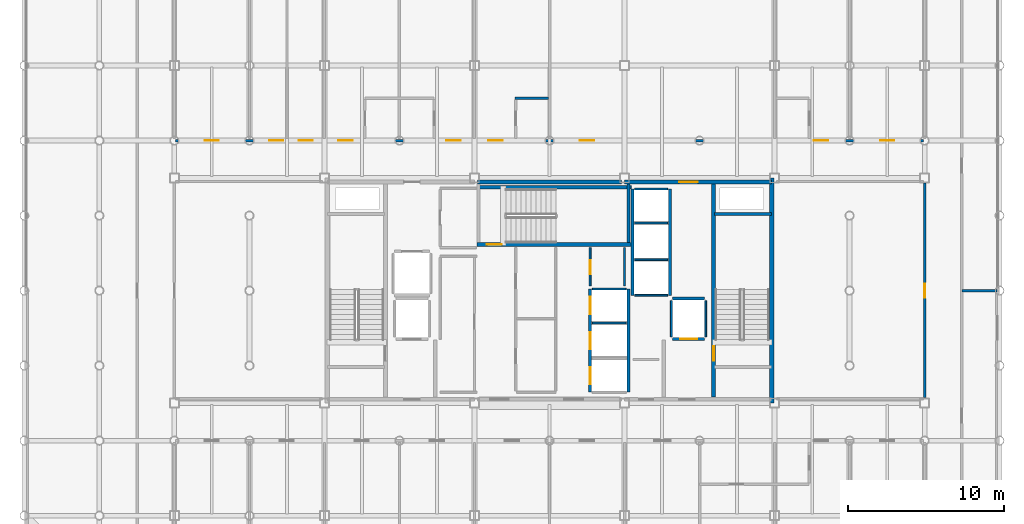
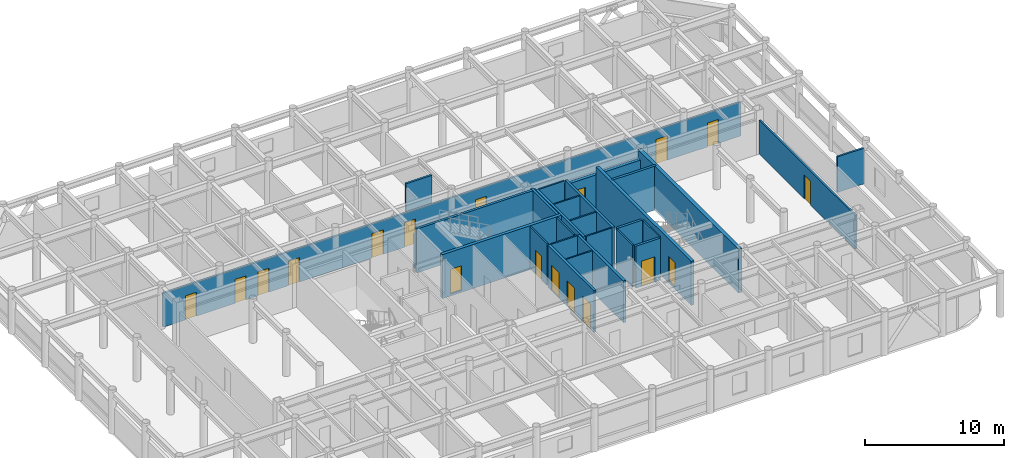
# One storey, part 20 of 22: 28 walls, 18 doors, 18 openings.
"""IFC4 building model written with IfcOpenShell, lengths in metres."""

import ifcopenshell
import ifcopenshell.guid

model = None  # the IFC model being written
_history = None  # IfcOwnerHistory: only IFC2X3 demands one
_inside = {}  # id of a spatial element -> (the spatial element, [elements in it])
_under = {}  # id of a project, library or spatial element -> (it, [spatial elements below it])
_declared = {}  # id of a project -> (the project, [libraries it declares])
_typed = {}  # id of a type object -> (the type object, [elements of that type])
_made_of = {}  # id of a material, layer set ... -> (it, [elements and type objects made of it])


def new_model(schema):
    """Start an empty IFC model of exactly this schema.

    Asked for "IFC4X3", IfcOpenShell would pick the latest addendum, in which some entities
    have other attributes; the version numbers below select the first issue.
    IFC2X3 requires an IfcOwnerHistory on every rooted entity: one is made here for all.
    """
    global model, _history
    if schema == "IFC4X3":
        model = ifcopenshell.file(schema_version=(4, 3, 0, 0))
    else:
        model = ifcopenshell.file(schema=schema)
    _inside.clear()
    _under.clear()
    _declared.clear()
    _typed.clear()
    _made_of.clear()
    _history = None
    if model.schema == "IFC2X3":
        org = make("IfcOrganization", Name="unknown")
        user = make(
            "IfcPersonAndOrganization",
            ThePerson=make("IfcPerson", FamilyName="unknown"),
            TheOrganization=org,
        )
        app = make(
            "IfcApplication",
            ApplicationDeveloper=org,
            Version="unknown",
            ApplicationFullName="unknown",
            ApplicationIdentifier="unknown",
        )
        _history = make(
            "IfcOwnerHistory",
            OwningUser=user,
            OwningApplication=app,
            ChangeAction="ADDED",
            CreationDate=0,
        )
    return model


def make(cls, **values):
    """One entity of the class cls with the attributes given. An attribute that is None is left unset."""
    return model.create_entity(
        cls, **{name: value for name, value in values.items() if value is not None}
    )


def rooted(cls, **values):
    """An entity with a GlobalId (a new one), such as an element, a storey or a relation."""
    return make(cls, GlobalId=ifcopenshell.guid.new(), OwnerHistory=_history, **values)


def si_unit(unit_type, name, prefix=None):
    """IfcSIUnit, for example si_unit("LENGTHUNIT", "METRE", prefix="MILLI")."""
    return make("IfcSIUnit", UnitType=unit_type, Prefix=prefix, Name=name)


def assignment(units):
    """IfcUnitAssignment: the units of a project."""
    return None if units is None else make("IfcUnitAssignment", Units=units)


def point(xyz):
    """IfcCartesianPoint."""
    return None if xyz is None else make("IfcCartesianPoint", Coordinates=xyz)


def direction(xyz):
    """IfcDirection."""
    return None if xyz is None else make("IfcDirection", DirectionRatios=xyz)


def frame(location, z_axis=None, x_axis=None):
    """IfcAxis2Placement3D, a coordinate frame: its origin and axes. An axis left out is left unset."""
    return make(
        "IfcAxis2Placement3D",
        Location=point(location),
        Axis=direction(z_axis),
        RefDirection=direction(x_axis),
    )


def frame_2d(location, x_axis=None):
    """IfcAxis2Placement2D, a coordinate frame in the plane: its origin and x axis."""
    return make(
        "IfcAxis2Placement2D", Location=point(location), RefDirection=direction(x_axis)
    )


def origin():
    """The frame at (0, 0, 0) with its axes left unset."""
    return frame((0.0, 0.0, 0.0))


def place(relative_to, where):
    """IfcLocalPlacement: puts the frame where relative to a parent placement (None: the world)."""
    return make(
        "IfcLocalPlacement", PlacementRelTo=relative_to, RelativePlacement=where
    )


def context(
    kind, dimensions, precision=None, world=None, true_north=None, identifier=None
):
    """IfcGeometricRepresentationContext, for example the 3D "Model" context."""
    return make(
        "IfcGeometricRepresentationContext",
        ContextIdentifier=identifier,
        ContextType=kind,
        CoordinateSpaceDimension=dimensions,
        Precision=precision,
        WorldCoordinateSystem=world,
        TrueNorth=true_north,
    )


def subcontext(parent, identifier, kind, view, scale=None):
    """IfcGeometricRepresentationSubContext, for example "Body" below "Model"."""
    return make(
        "IfcGeometricRepresentationSubContext",
        ContextIdentifier=identifier,
        ContextType=kind,
        ParentContext=parent,
        TargetScale=scale,
        TargetView=view,
    )


def project(units=None, contexts=None):
    """IfcProject with its units and contexts."""
    return rooted(
        "IfcProject",
        Name="project",
        RepresentationContexts=contexts,
        UnitsInContext=assignment(units),
    )


def spatial(cls, under=None, at=None, **own):
    """A site, building, storey or space (cls), placed at a placement, below another one or the project."""
    s = rooted(cls, ObjectPlacement=at, **own)
    if under is not None:
        _under.setdefault(under.id(), (under, []))[1].append(s)
    return s


def profile(cls, at=None, kind="AREA", **sizes):
    """A parametric profile (cls). Its sizes go by their IFC names, for example OverallWidth=200.0."""
    return make(cls, ProfileType=kind, Position=at, **sizes)


def rectangle(**sizes):
    """IfcRectangleProfileDef."""
    return profile("IfcRectangleProfileDef", **sizes)


def extrude(swept, where, along, depth):
    """IfcExtrudedAreaSolid: the profile swept, set in the frame where, extruded along a direction by depth."""
    return make(
        "IfcExtrudedAreaSolid",
        SweptArea=swept,
        Position=where,
        ExtrudedDirection=direction(along),
        Depth=depth,
    )


def shape(context_of_items, identifier, shape_type, items):
    """IfcShapeRepresentation: the items that make up one representation, for example the "Body"."""
    return make(
        "IfcShapeRepresentation",
        ContextOfItems=context_of_items,
        RepresentationIdentifier=identifier,
        RepresentationType=shape_type,
        Items=items,
    )


def material(Name=None, Category=None):
    """IfcMaterial."""
    return make("IfcMaterial", Name=Name, Category=Category)


def layer(
    of_material, thickness, ventilated=None, Name=None, Category=None, Priority=None
):
    """IfcMaterialLayer: one layer of a wall or slab, of a material (None: an air gap)."""
    return make(
        "IfcMaterialLayer",
        Material=of_material,
        LayerThickness=thickness,
        IsVentilated=ventilated,
        Name=Name,
        Category=Category,
        Priority=Priority,
    )


def layer_set(layers, Name=None):
    """IfcMaterialLayerSet."""
    return make("IfcMaterialLayerSet", MaterialLayers=layers, LayerSetName=Name)


def made_of(thing, what):
    """Note that an element or type object is made of a material, layer set ...; save() writes the relation."""
    if what is not None:
        _made_of.setdefault(what.id(), (what, []))[1].append(thing)
    return thing


def type_object(cls, material=None, **own):
    """A type object (cls), such as IfcWallType, which elements share."""
    return made_of(rooted(cls, **own), material)


def element(
    cls,
    number,
    at=None,
    inside=None,
    cuts=None,
    type_object=None,
    material=None,
    context=None,
    identifier="Body",
    shape_type=None,
    held_by="IfcProductDefinitionShape",
    body=None,
    shapes=None,
    **own,
):
    """One element of the class cls, such as IfcWall. Its Tag is "e" and its number.

    at: its placement. inside: the storey or other place that contains it. cuts: it is an
    opening in that element (IfcRelVoidsElement). A single representation is given by context,
    identifier, shape_type and body (its items); several are given by shapes. held_by: the class
    of the entity that holds the representations. save() writes the other relations.
    """
    e = rooted(cls, Tag="e%d" % number, ObjectPlacement=at, **own)
    if body is not None:
        shapes = [shape(context, identifier, shape_type, body)]
    if shapes is not None:
        e.Representation = make(held_by, Representations=shapes)
    if inside is not None:
        _inside.setdefault(inside.id(), (inside, []))[1].append(e)
    if cuts is not None:
        rooted(
            "IfcRelVoidsElement", RelatingBuildingElement=cuts, RelatedOpeningElement=e
        )
    if type_object is not None:
        _typed.setdefault(type_object.id(), (type_object, []))[1].append(e)
    return made_of(e, material)


def fill(opening, filler):
    """IfcRelFillsElement: the door or window that sits in an opening."""
    return rooted(
        "IfcRelFillsElement",
        RelatingOpeningElement=opening,
        RelatedBuildingElement=filler,
    )


def aggregate(whole, parts):
    """IfcRelAggregates: a whole, such as a stair, and the parts it consists of."""
    return rooted("IfcRelAggregates", RelatingObject=whole, RelatedObjects=parts)


def save(model, path):
    """Write the relations noted so far, then the file.

    IfcRelAggregates (storeys below a building ...), IfcRelContainedInSpatialStructure (elements
    in a storey), IfcRelDefinesByType, IfcRelAssociatesMaterial and IfcRelDeclares: one each for
    every whole, place, type object, material and project.
    """
    for whole, parts in _under.values():
        aggregate(whole, parts)
    for where, things in _inside.values():
        rooted(
            "IfcRelContainedInSpatialStructure",
            RelatedElements=things,
            RelatingStructure=where,
        )
    for kind, things in _typed.values():
        rooted("IfcRelDefinesByType", RelatedObjects=things, RelatingType=kind)
    for what, things in _made_of.values():
        rooted("IfcRelAssociatesMaterial", RelatedObjects=things, RelatingMaterial=what)
    for by, libraries in _declared.values():
        rooted("IfcRelDeclares", RelatingContext=by, RelatedDefinitions=libraries)
    model.write(path)


model = new_model("IFC4")

# Units and contexts
model_context = context("Model", 3, precision=1e-05, world=origin(), true_north=direction((0.0, 1.0)))
body_context = subcontext(model_context, "Body", "Model", "MODEL_VIEW")
ifc_project = project(units=[si_unit("LENGTHUNIT", "METRE"), si_unit("AREAUNIT", "SQUARE_METRE"), si_unit("VOLUMEUNIT", "CUBIC_METRE"), si_unit("PLANEANGLEUNIT", "RADIAN"), si_unit("MASSUNIT", "GRAM", prefix="KILO")], contexts=[model_context])

# Site, building, storey
site_placement = place(None, origin())
site = spatial("IfcSite", under=ifc_project, at=site_placement, CompositionType="ELEMENT")
building_placement = place(site_placement, origin())
building = spatial("IfcBuilding", under=site, at=building_placement, Name="Kallvorn Hotel Tower", CompositionType="ELEMENT")
storey_placement = place(building_placement, frame((0.0, 0.0, 253.10009765625)))
storey = spatial("IfcBuildingStorey", under=building, at=storey_placement, Name="L63", CompositionType="ELEMENT", Elevation=253.10009765625)

# Wall
ifc_material_1 = material(Name="Concrete C50/60", Category="concrete")
ifc_layer_1 = layer(ifc_material_1, 0.300048828125)
ifc_layer_set_1 = layer_set([ifc_layer_1], Name="WL_CORE_300")
wall_type_1 = type_object("IfcWallType", Name="WL_CORE_300", PredefinedType="SHEAR", material=ifc_layer_set_1)
wall_1_placement = place(storey_placement, frame((14.215087890625, -7.199951171875, -0.18017578125), z_axis=(0.0, 0.0, 1.0), x_axis=(0.0, 1.0, 0.0)))
element("IfcWall", 1, at=wall_1_placement, inside=storey, type_object=wall_type_1, Name="L63 Core East Shear Wall", PredefinedType="SHEAR", context=body_context, shape_type="SweptSolid", body=[
    extrude(rectangle(XDim=14.39990234375, YDim=0.300048828125, at=frame_2d((7.199951171875, 0.0))), origin(), (0.0, 0.0, 1.0), 3.85009765625),
])

# Wall, openings, doors
ifc_material_2 = material(Name="Fire-rated double-layer acoustic gypsum drywall EI 60")
ifc_layer_2 = layer(ifc_material_2, 0.159912109375)
ifc_layer_set_2 = layer_set([ifc_layer_2], Name="WL_DEMISE_160")
wall_type_2 = type_object("IfcWallType", Name="WL_DEMISE_160", PredefinedType="PARTITIONING", material=ifc_layer_set_2)
wall_2_placement = place(storey_placement, frame((-23.919921875, 9.60009765625, 0.0), z_axis=(0.0, 0.0, 1.0), x_axis=(1.0, 0.0, 0.0)))
wall_2 = element("IfcWall", 2, at=wall_2_placement, inside=storey, type_object=wall_type_2, Name="L63 Suite 6303 Standard Twin Room Partition", PredefinedType="PARTITIONING", context=body_context, shape_type="SweptSolid", body=[
    extrude(rectangle(XDim=47.83984375, YDim=0.159912109375, at=frame_2d((23.919921875, 0.0))), origin(), (0.0, 0.0, 1.0), 2.969970703125),
])
opening_1_placement = place(wall_2_placement, frame((1.8701171875, 0.0, 0.0)))
opening_1 = element("IfcOpeningElement", 3, at=opening_1_placement, cuts=wall_2, Name="Opening SVD1", PredefinedType="OPENING", context=body_context, shape_type="SweptSolid", body=[
    extrude(rectangle(XDim=0.89990234375, YDim=2.10009765625, at=frame_2d((0.449951171875, 1.050048828125))), frame((0.0, 0.094970703125, 0.0), z_axis=(0.0, -1.0, 0.0), x_axis=(1.0, 0.0, 0.0)), (0.0, 0.0, 1.0), 0.18994140625),
])
opening_2_placement = place(wall_2_placement, frame((45.070068359375, 0.0, 0.0)))
opening_2 = element("IfcOpeningElement", 4, at=opening_2_placement, cuts=wall_2, Name="Opening SVD1", PredefinedType="OPENING", context=body_context, shape_type="SweptSolid", body=[
    extrude(rectangle(XDim=0.89990234375, YDim=2.10009765625, at=frame_2d((0.449951171875, 1.050048828125))), frame((0.0, 0.094970703125, 0.0), z_axis=(0.0, -1.0, 0.0), x_axis=(1.0, 0.0, 0.0)), (0.0, 0.0, 1.0), 0.18994140625),
])
opening_3_placement = place(wall_2_placement, frame((5.97998046875, 0.0, 0.0)))
opening_3 = element("IfcOpeningElement", 5, at=opening_3_placement, cuts=wall_2, Name="Opening SVD1", PredefinedType="OPENING", context=body_context, shape_type="SweptSolid", body=[
    extrude(rectangle(XDim=0.89990234375, YDim=2.10009765625, at=frame_2d((0.449951171875, 1.050048828125))), frame((0.0, 0.094970703125, 0.0), z_axis=(0.0, -1.0, 0.0), x_axis=(1.0, 0.0, 0.0)), (0.0, 0.0, 1.0), 0.18994140625),
])
opening_4_placement = place(wall_2_placement, frame((7.8701171875, 0.0, 0.0)))
opening_4 = element("IfcOpeningElement", 6, at=opening_4_placement, cuts=wall_2, Name="Opening SVD1", PredefinedType="OPENING", context=body_context, shape_type="SweptSolid", body=[
    extrude(rectangle(XDim=0.89990234375, YDim=2.10009765625, at=frame_2d((0.449951171875, 1.050048828125))), frame((0.0, 0.094970703125, 0.0), z_axis=(0.0, -1.0, 0.0), x_axis=(1.0, 0.0, 0.0)), (0.0, 0.0, 1.0), 0.18994140625),
])
opening_5_placement = place(wall_2_placement, frame((10.39501953125, 0.0, 0.0)))
opening_5 = element("IfcOpeningElement", 7, at=opening_5_placement, cuts=wall_2, Name="Opening GD1", PredefinedType="OPENING", context=body_context, shape_type="SweptSolid", body=[
    extrude(rectangle(XDim=0.919921875, YDim=2.14990234375, at=frame_2d((0.4599609375, 1.074951171875))), frame((0.0, 0.094970703125, 0.0), z_axis=(0.0, -1.0, 0.0), x_axis=(1.0, 0.0, 0.0)), (0.0, 0.0, 1.0), 0.18994140625),
])
opening_6_placement = place(wall_2_placement, frame((17.324951171875, 0.0, 0.0)))
opening_6 = element("IfcOpeningElement", 8, at=opening_6_placement, cuts=wall_2, Name="Opening GD1", PredefinedType="OPENING", context=body_context, shape_type="SweptSolid", body=[
    extrude(rectangle(XDim=0.919921875, YDim=2.14990234375, at=frame_2d((0.4599609375, 1.074951171875))), frame((0.0, 0.094970703125, 0.0), z_axis=(0.0, -1.0, 0.0), x_axis=(1.0, 0.0, 0.0)), (0.0, 0.0, 1.0), 0.18994140625),
])
opening_7_placement = place(wall_2_placement, frame((19.9951171875, 0.0, 0.0)))
opening_7 = element("IfcOpeningElement", 9, at=opening_7_placement, cuts=wall_2, Name="Opening GD1", PredefinedType="OPENING", context=body_context, shape_type="SweptSolid", body=[
    extrude(rectangle(XDim=0.919921875, YDim=2.14990234375, at=frame_2d((0.4599609375, 1.074951171875))), frame((0.0, 0.094970703125, 0.0), z_axis=(0.0, -1.0, 0.0), x_axis=(1.0, 0.0, 0.0)), (0.0, 0.0, 1.0), 0.18994140625),
])
opening_8_placement = place(wall_2_placement, frame((25.8701171875, 0.0, 0.0)))
opening_8 = element("IfcOpeningElement", 10, at=opening_8_placement, cuts=wall_2, Name="Opening SVD1", PredefinedType="OPENING", context=body_context, shape_type="SweptSolid", body=[
    extrude(rectangle(XDim=0.89990234375, YDim=2.10009765625, at=frame_2d((0.449951171875, 1.050048828125))), frame((0.0, 0.094970703125, 0.0), z_axis=(0.0, -1.0, 0.0), x_axis=(1.0, 0.0, 0.0)), (0.0, 0.0, 1.0), 0.18994140625),
])
opening_9_placement = place(wall_2_placement, frame((40.830078125, 0.0, 0.0)))
opening_9 = element("IfcOpeningElement", 11, at=opening_9_placement, cuts=wall_2, Name="Opening GD1", PredefinedType="OPENING", context=body_context, shape_type="SweptSolid", body=[
    extrude(rectangle(XDim=0.919921875, YDim=2.14990234375, at=frame_2d((0.4599609375, 1.074951171875))), frame((0.0, 0.094970703125, 0.0), z_axis=(0.0, -1.0, 0.0), x_axis=(1.0, 0.0, 0.0)), (0.0, 0.0, 1.0), 0.18994140625),
])
ifc_material_3 = material(Name="Solid-core walnut veneer fire-rated timber door leaf", Category="wood")
door_type_1 = type_object("IfcDoorType", Name="DR_GUEST_920x2150", OperationType="NOTDEFINED", PredefinedType="DOOR", material=ifc_material_3)
door_1_placement = place(opening_5_placement, origin())
door_1 = element("IfcDoor", 12, at=door_1_placement, inside=storey, type_object=door_type_1, Name="L63 Suite 6303 Standard Twin Room Door", OperationType="SINGLE_SWING_LEFT", OverallHeight=2.14990234375, OverallWidth=0.919921875, PredefinedType="DOOR", context=body_context, shape_type="SweptSolid", body=[
    extrude(rectangle(XDim=0.919921875, YDim=2.14990234375, at=frame_2d((0.4599609375, 1.074951171875))), frame((0.0, 0.02490234375, 0.0), z_axis=(0.0, -1.0, 0.0), x_axis=(1.0, 0.0, 0.0)), (0.0, 0.0, 1.0), 0.050048828125),
])
fill(opening_5, door_1)
door_2_placement = place(opening_6_placement, origin())
door_2 = element("IfcDoor", 13, at=door_2_placement, inside=storey, type_object=door_type_1, Name="L63 Suite 6304 Standard Twin Room Door", OperationType="SINGLE_SWING_RIGHT", OverallHeight=2.14990234375, OverallWidth=0.919921875, PredefinedType="DOOR", context=body_context, shape_type="SweptSolid", body=[
    extrude(rectangle(XDim=0.919921875, YDim=2.14990234375, at=frame_2d((0.4599609375, 1.074951171875))), frame((0.0, 0.02490234375, 0.0), z_axis=(0.0, -1.0, 0.0), x_axis=(1.0, 0.0, 0.0)), (0.0, 0.0, 1.0), 0.050048828125),
])
fill(opening_6, door_2)
door_3_placement = place(opening_7_placement, origin())
door_3 = element("IfcDoor", 14, at=door_3_placement, inside=storey, type_object=door_type_1, Name="L63 Suite 6305 Standard Twin Room Door", OperationType="SINGLE_SWING_LEFT", OverallHeight=2.14990234375, OverallWidth=0.919921875, PredefinedType="DOOR", context=body_context, shape_type="SweptSolid", body=[
    extrude(rectangle(XDim=0.919921875, YDim=2.14990234375, at=frame_2d((0.4599609375, 1.074951171875))), frame((0.0, 0.02490234375, 0.0), z_axis=(0.0, -1.0, 0.0), x_axis=(1.0, 0.0, 0.0)), (0.0, 0.0, 1.0), 0.050048828125),
])
fill(opening_7, door_3)
door_4_placement = place(opening_9_placement, origin())
door_4 = element("IfcDoor", 15, at=door_4_placement, inside=storey, type_object=door_type_1, Name="L63 Suite 6306 Standard Twin Room Door", OperationType="SINGLE_SWING_RIGHT", OverallHeight=2.14990234375, OverallWidth=0.919921875, PredefinedType="DOOR", context=body_context, shape_type="SweptSolid", body=[
    extrude(rectangle(XDim=0.919921875, YDim=2.14990234375, at=frame_2d((0.4599609375, 1.074951171875))), frame((0.0, 0.02490234375, 0.0), z_axis=(0.0, -1.0, 0.0), x_axis=(1.0, 0.0, 0.0)), (0.0, 0.0, 1.0), 0.050048828125),
])
fill(opening_9, door_4)
ifc_material_4 = material(Name="Galvanised painted steel fire-rated door assembly", Category="steel")
door_type_2 = type_object("IfcDoorType", Name="DR_SERV_900x2100", OperationType="NOTDEFINED", PredefinedType="DOOR", material=ifc_material_4)
door_5_placement = place(opening_1_placement, origin())
door_5 = element("IfcDoor", 16, at=door_5_placement, inside=storey, type_object=door_type_2, Name="L63 L63 High-Zone North-West Reading Salon Door", OperationType="SINGLE_SWING_LEFT", OverallHeight=2.10009765625, OverallWidth=0.89990234375, PredefinedType="DOOR", context=body_context, shape_type="SweptSolid", body=[
    extrude(rectangle(XDim=0.89990234375, YDim=2.10009765625, at=frame_2d((0.449951171875, 1.050048828125))), frame((0.0, 0.02490234375, 0.0), z_axis=(0.0, -1.0, 0.0), x_axis=(1.0, 0.0, 0.0)), (0.0, 0.0, 1.0), 0.050048828125),
])
fill(opening_1, door_5)
door_6_placement = place(opening_2_placement, origin())
door_6 = element("IfcDoor", 17, at=door_6_placement, inside=storey, type_object=door_type_2, Name="L63 L63 High-Zone North-East Pastry Bar Door", OperationType="SINGLE_SWING_RIGHT", OverallHeight=2.10009765625, OverallWidth=0.89990234375, PredefinedType="DOOR", context=body_context, shape_type="SweptSolid", body=[
    extrude(rectangle(XDim=0.89990234375, YDim=2.10009765625, at=frame_2d((0.449951171875, 1.050048828125))), frame((0.0, 0.02490234375, 0.0), z_axis=(0.0, -1.0, 0.0), x_axis=(1.0, 0.0, 0.0)), (0.0, 0.0, 1.0), 0.050048828125),
])
fill(opening_2, door_6)
door_7_placement = place(opening_3_placement, origin())
door_7 = element("IfcDoor", 18, at=door_7_placement, inside=storey, type_object=door_type_2, Name="L63 Housekeeping and Linen Room Door", OperationType="SINGLE_SWING_RIGHT", OverallHeight=2.10009765625, OverallWidth=0.89990234375, PredefinedType="DOOR", context=body_context, shape_type="SweptSolid", body=[
    extrude(rectangle(XDim=0.89990234375, YDim=2.10009765625, at=frame_2d((0.449951171875, 1.050048828125))), frame((0.0, 0.02490234375, 0.0), z_axis=(0.0, -1.0, 0.0), x_axis=(1.0, 0.0, 0.0)), (0.0, 0.0, 1.0), 0.050048828125),
])
fill(opening_3, door_7)
door_8_placement = place(opening_4_placement, origin())
door_8 = element("IfcDoor", 19, at=door_8_placement, inside=storey, type_object=door_type_2, Name="L63 Guest Tea and Refreshment Bar Door", OperationType="SINGLE_SWING_RIGHT", OverallHeight=2.10009765625, OverallWidth=0.89990234375, PredefinedType="DOOR", context=body_context, shape_type="SweptSolid", body=[
    extrude(rectangle(XDim=0.89990234375, YDim=2.10009765625, at=frame_2d((0.449951171875, 1.050048828125))), frame((0.0, 0.02490234375, 0.0), z_axis=(0.0, -1.0, 0.0), x_axis=(1.0, 0.0, 0.0)), (0.0, 0.0, 1.0), 0.050048828125),
])
fill(opening_4, door_8)
door_9_placement = place(opening_8_placement, origin())
door_9 = element("IfcDoor", 20, at=door_9_placement, inside=storey, type_object=door_type_2, Name="L63 L63 Cordillera Botanical Tea Salon 5 Door", OperationType="SINGLE_SWING_RIGHT", OverallHeight=2.10009765625, OverallWidth=0.89990234375, PredefinedType="DOOR", context=body_context, shape_type="SweptSolid", body=[
    extrude(rectangle(XDim=0.89990234375, YDim=2.10009765625, at=frame_2d((0.449951171875, 1.050048828125))), frame((0.0, 0.02490234375, 0.0), z_axis=(0.0, -1.0, 0.0), x_axis=(1.0, 0.0, 0.0)), (0.0, 0.0, 1.0), 0.050048828125),
])
fill(opening_8, door_9)

# Walls
wall_3_placement = place(storey_placement, frame((-2.2099609375, 12.320068359375, 0.0), z_axis=(0.0, 0.0, 1.0), x_axis=(1.0, 0.0, 0.0)))
element("IfcWall", 21, at=wall_3_placement, inside=storey, type_object=wall_type_2, Name="L63 Suite 6305 Standard Twin Room Partition", PredefinedType="PARTITIONING", context=body_context, shape_type="SweptSolid", body=[
    extrude(rectangle(XDim=2.1298828125, YDim=0.159912109375, at=frame_2d((1.06494140625, 0.0))), origin(), (0.0, 0.0, 1.0), 3.309814453125),
])
ifc_material_5 = material(Name="Concrete C40/50", Category="concrete")
ifc_layer_3 = layer(ifc_material_5, 0.199951171875)
ifc_layer_set_3 = layer_set([ifc_layer_3], Name="WL_HOIST_200")
wall_type_3 = type_object("IfcWallType", Name="WL_HOIST_200", PredefinedType="SOLIDWALL", material=ifc_layer_set_3)
wall_4_placement = place(storey_placement, frame((10.550048828125, 4.89990234375, -0.18017578125), z_axis=(0.0, 0.0, 1.0), x_axis=(1.0, 0.0, 0.0)))
element("IfcWall", 22, at=wall_4_placement, inside=storey, type_object=wall_type_3, Name="L63 Stair ST2 North Wall", PredefinedType="SOLIDWALL", context=body_context, shape_type="SweptSolid", body=[
    extrude(rectangle(XDim=3.64990234375, YDim=0.199951171875, at=frame_2d((1.824951171875, 0.0))), origin(), (0.0, 0.0, 1.0), 3.85009765625),
])
wall_5_placement = place(storey_placement, frame((-4.64990234375, 6.610107421875, -0.18017578125), z_axis=(0.0, 0.0, 1.0), x_axis=(1.0, 0.0, 0.0)))
element("IfcWall", 23, at=wall_5_placement, inside=storey, type_object=wall_type_3, Name="L63 Stair ST3 Shaft North Wall", PredefinedType="SOLIDWALL", context=body_context, shape_type="SweptSolid", body=[
    extrude(rectangle(XDim=9.89990234375, YDim=0.199951171875, at=frame_2d((4.949951171875, 0.0))), origin(), (0.0, 0.0, 1.0), 3.85009765625),
])
wall_6_placement = place(storey_placement, frame((5.06005859375, 3.080078125, -0.18017578125), z_axis=(0.0, 0.0, 1.0), x_axis=(0.0, 1.0, 0.0)))
element("IfcWall", 24, at=wall_6_placement, inside=storey, type_object=wall_type_3, Name="L63 Stair ST3 East Wall", PredefinedType="SOLIDWALL", context=body_context, shape_type="SweptSolid", body=[
    extrude(rectangle(XDim=3.739990234375, YDim=0.199951171875, at=frame_2d((1.8701171875, 0.0))), origin(), (0.0, 0.0, 1.0), 3.85009765625),
])

# Wall, openings, doors
wall_7_placement = place(storey_placement, frame((2.60009765625, -6.5, 0.0), z_axis=(0.0, 0.0, 1.0), x_axis=(0.0, 1.0, 0.0)))
wall_7 = element("IfcWall", 25, at=wall_7_placement, inside=storey, type_object=wall_type_3, Name="L63 Lift Bank B3A Landing Wall", PredefinedType="SOLIDWALL", context=body_context, shape_type="SweptSolid", body=[
    extrude(rectangle(XDim=6.60009765625, YDim=0.199951171875, at=frame_2d((3.300048828125, 0.0))), origin(), (0.0, 0.0, 1.0), 3.669921875),
])
opening_10_placement = place(wall_7_placement, frame((0.5, 0.0, 0.0)))
opening_10 = element("IfcOpeningElement", 26, at=opening_10_placement, cuts=wall_7, Name="Opening LD-PL-09", PredefinedType="OPENING", context=body_context, shape_type="SweptSolid", body=[
    extrude(rectangle(XDim=1.10009765625, YDim=2.199951171875, at=frame_2d((0.550048828125, 1.10009765625))), frame((0.0, 0.114990234375, 0.0), z_axis=(0.0, -1.0, 0.0), x_axis=(1.0, 0.0, 0.0)), (0.0, 0.0, 1.0), 0.22998046875),
])
opening_11_placement = place(wall_7_placement, frame((2.75, 0.0, 0.0)))
opening_11 = element("IfcOpeningElement", 27, at=opening_11_placement, cuts=wall_7, Name="Opening LD-PL-10", PredefinedType="OPENING", context=body_context, shape_type="SweptSolid", body=[
    extrude(rectangle(XDim=1.10009765625, YDim=2.199951171875, at=frame_2d((0.550048828125, 1.10009765625))), frame((0.0, 0.114990234375, 0.0), z_axis=(0.0, -1.0, 0.0), x_axis=(1.0, 0.0, 0.0)), (0.0, 0.0, 1.0), 0.22998046875),
])
opening_12_placement = place(wall_7_placement, frame((5.0, 0.0, 0.0)))
opening_12 = element("IfcOpeningElement", 28, at=opening_12_placement, cuts=wall_7, Name="Opening LD-PL-11", PredefinedType="OPENING", context=body_context, shape_type="SweptSolid", body=[
    extrude(rectangle(XDim=1.10009765625, YDim=2.199951171875, at=frame_2d((0.550048828125, 1.10009765625))), frame((0.0, 0.114990234375, 0.0), z_axis=(0.0, -1.0, 0.0), x_axis=(1.0, 0.0, 0.0)), (0.0, 0.0, 1.0), 0.22998046875),
])
ifc_material_6 = material(Name="Brushed stainless-steel automatic sliding lift landing door", Category="steel")
door_type_3 = type_object("IfcDoorType", Name="LD_PASS_1100x2200", OperationType="SLIDING_TO_LEFT", PredefinedType="DOOR", material=ifc_material_6)
door_10_placement = place(opening_10_placement, origin())
door_10 = element("IfcDoor", 29, at=door_10_placement, inside=storey, type_object=door_type_3, Name="L63 Lift Landing Sliding Door LD-PL-09", OperationType="SLIDING_TO_LEFT", OverallHeight=2.199951171875, OverallWidth=1.10009765625, PredefinedType="DOOR", context=body_context, shape_type="SweptSolid", body=[
    extrude(rectangle(XDim=1.10009765625, YDim=2.199951171875, at=frame_2d((0.550048828125, 1.10009765625))), frame((0.0, 0.02490234375, 0.0), z_axis=(0.0, -1.0, 0.0), x_axis=(1.0, 0.0, 0.0)), (0.0, 0.0, 1.0), 0.050048828125),
])
fill(opening_10, door_10)
door_11_placement = place(opening_11_placement, origin())
door_11 = element("IfcDoor", 30, at=door_11_placement, inside=storey, type_object=door_type_3, Name="L63 Lift Landing Sliding Door LD-PL-10", OperationType="SLIDING_TO_LEFT", OverallHeight=2.199951171875, OverallWidth=1.10009765625, PredefinedType="DOOR", context=body_context, shape_type="SweptSolid", body=[
    extrude(rectangle(XDim=1.10009765625, YDim=2.199951171875, at=frame_2d((0.550048828125, 1.10009765625))), frame((0.0, 0.02490234375, 0.0), z_axis=(0.0, -1.0, 0.0), x_axis=(1.0, 0.0, 0.0)), (0.0, 0.0, 1.0), 0.050048828125),
])
fill(opening_11, door_11)
door_12_placement = place(opening_12_placement, origin())
door_12 = element("IfcDoor", 31, at=door_12_placement, inside=storey, type_object=door_type_3, Name="L63 Lift Landing Sliding Door LD-PL-11", OperationType="SLIDING_TO_LEFT", OverallHeight=2.199951171875, OverallWidth=1.10009765625, PredefinedType="DOOR", context=body_context, shape_type="SweptSolid", body=[
    extrude(rectangle(XDim=1.10009765625, YDim=2.199951171875, at=frame_2d((0.550048828125, 1.10009765625))), frame((0.0, 0.02490234375, 0.0), z_axis=(0.0, -1.0, 0.0), x_axis=(1.0, 0.0, 0.0)), (0.0, 0.0, 1.0), 0.050048828125),
])
fill(opening_12, door_12)

# Walls
wall_8_placement = place(storey_placement, frame((5.050048828125, -6.5, 0.0), z_axis=(0.0, 0.0, 1.0), x_axis=(0.0, 1.0, 0.0)))
element("IfcWall", 32, at=wall_8_placement, inside=storey, type_object=wall_type_3, Name="L63 Lift Bank B3A Rear Shaft Wall", PredefinedType="SOLIDWALL", context=body_context, shape_type="SweptSolid", body=[
    extrude(rectangle(XDim=6.60009765625, YDim=0.199951171875, at=frame_2d((3.300048828125, 0.0))), origin(), (0.0, 0.0, 1.0), 3.669921875),
])
for number, where, z_axis, x_axis, name in (
    (33, (7.699951171875, -0.300048828125, 0.0), (0.0, 0.0, 1.0), (0.0, 1.0, 0.0), "L63 Lift Bank OBS Landing Wall"),
    (34, (5.300048828125, -0.300048828125, 0.0), (0.0, 0.0, 1.0), (0.0, 1.0, 0.0), "L63 Lift Bank OBS Rear Shaft Wall"),
):
    element("IfcWall", number, at=place(storey_placement, frame(where, z_axis=z_axis, x_axis=x_axis)), inside=storey, type_object=wall_type_3, Name=name, PredefinedType="SOLIDWALL", context=body_context, shape_type="SweptSolid", body=[
        extrude(rectangle(XDim=6.800048828125, YDim=0.199951171875, at=frame_2d((3.39990234375, 0.0))), origin(), (0.0, 0.0, 1.0), 3.669921875),
    ])

# Wall, opening, door
wall_9_placement = place(storey_placement, frame((7.8798828125, -3.10009765625, 0.0), z_axis=(0.0, 0.0, 1.0), x_axis=(1.0, 0.0, 0.0)))
wall_9 = element("IfcWall", 35, at=wall_9_placement, inside=storey, type_object=wall_type_3, Name="L63 FL-2 Landing Wall", PredefinedType="SOLIDWALL", context=body_context, shape_type="SweptSolid", body=[
    extrude(rectangle(XDim=2.0400390625, YDim=0.199951171875, at=frame_2d((1.02001953125, 0.0))), origin(), (0.0, 0.0, 1.0), 3.669921875),
])
opening_13_placement = place(wall_9_placement, frame((0.469970703125, 0.0, 0.0)))
opening_13 = element("IfcOpeningElement", 36, at=opening_13_placement, cuts=wall_9, Name="Opening LD-FL-2", PredefinedType="OPENING", context=body_context, shape_type="SweptSolid", body=[
    extrude(rectangle(XDim=1.10009765625, YDim=2.199951171875, at=frame_2d((0.550048828125, 1.10009765625))), frame((0.0, 0.114990234375, 0.0), z_axis=(0.0, -1.0, 0.0), x_axis=(1.0, 0.0, 0.0)), (0.0, 0.0, 1.0), 0.22998046875),
])
door_13_placement = place(opening_13_placement, origin())
door_13 = element("IfcDoor", 37, at=door_13_placement, inside=storey, type_object=door_type_3, Name="L63 Lift Landing Sliding Door LD-FL-2", OperationType="SLIDING_TO_LEFT", OverallHeight=2.199951171875, OverallWidth=1.10009765625, PredefinedType="DOOR", context=body_context, shape_type="SweptSolid", body=[
    extrude(rectangle(XDim=1.10009765625, YDim=2.199951171875, at=frame_2d((0.550048828125, 1.10009765625))), frame((0.0, 0.02490234375, 0.0), z_axis=(0.0, -1.0, 0.0), x_axis=(1.0, 0.0, 0.0)), (0.0, 0.0, 1.0), 0.050048828125),
])
fill(opening_13, door_13)

# Walls
wall_10_placement = place(storey_placement, frame((7.8798828125, -0.5, 0.0), z_axis=(0.0, 0.0, 1.0), x_axis=(1.0, 0.0, 0.0)))
element("IfcWall", 38, at=wall_10_placement, inside=storey, type_object=wall_type_3, Name="L63 FL-2 Rear Shaft Wall", PredefinedType="SOLIDWALL", context=body_context, shape_type="SweptSolid", body=[
    extrude(rectangle(XDim=2.0400390625, YDim=0.199951171875, at=frame_2d((1.02001953125, 0.0))), origin(), (0.0, 0.0, 1.0), 3.669921875),
])
ifc_material_7 = material(Name="Fire-rated double-layer acoustic gypsum drywall EI 60")
ifc_layer_4 = layer(ifc_material_7, 0.1201171875)
ifc_layer_set_4 = layer_set([ifc_layer_4], Name="WL_INT_120")
wall_type_4 = type_object("IfcWallType", Name="WL_INT_120", PredefinedType="PARTITIONING", material=ifc_layer_set_4)
for number, where, z_axis, x_axis, name in (
    (39, (2.739990234375, -2.074951171875, 0.0), (0.0, 0.0, 1.0), (1.0, 0.0, 0.0), "L63 PL-10 Hoistway Divider"),
    (40, (2.739990234375, 0.10009765625, 0.0), (0.0, 0.0, 1.0), (1.0, 0.0, 0.0), "L63 PL-11 Hoistway Divider"),
):
    element("IfcWall", number, at=place(storey_placement, frame(where, z_axis=z_axis, x_axis=x_axis)), inside=storey, type_object=wall_type_4, Name=name, PredefinedType="PARTITIONING", context=body_context, shape_type="SweptSolid", body=[
        extrude(rectangle(XDim=2.169921875, YDim=0.1201171875, at=frame_2d((1.0849609375, 0.0))), origin(), (0.0, 0.0, 1.0), 3.669921875),
    ])
for number, where, z_axis, x_axis, name in (
    (41, (5.43994140625, -0.300048828125, 0.0), (0.0, 0.0, 1.0), (1.0, 0.0, 0.0), "L63 Lift Bank OBS South Closure Wall"),
    (42, (5.43994140625, 1.97509765625, 0.0), (0.0, 0.0, 1.0), (1.0, 0.0, 0.0), "L63 OB-01 Hoistway Divider"),
    (43, (5.43994140625, 4.324951171875, 0.0), (0.0, 0.0, 1.0), (1.0, 0.0, 0.0), "L63 OB-02 Hoistway Divider"),
    (44, (5.43994140625, 6.5, 0.0), (0.0, 0.0, 1.0), (1.0, 0.0, 0.0), "L63 OB-03 Hoistway Divider"),
):
    element("IfcWall", number, at=place(storey_placement, frame(where, z_axis=z_axis, x_axis=x_axis)), inside=storey, type_object=wall_type_4, Name=name, PredefinedType="PARTITIONING", context=body_context, shape_type="SweptSolid", body=[
        extrude(rectangle(XDim=2.1201171875, YDim=0.1201171875, at=frame_2d((1.06005859375, 0.0))), origin(), (0.0, 0.0, 1.0), 3.669921875),
    ])
for number, where, z_axis, x_axis, name in (
    (45, (7.800048828125, -2.9599609375, 0.0), (0.0, 0.0, 1.0), (0.0, 1.0, 0.0), "L63 FL-2 West Shaft Wall"),
    (46, (10.0, -2.9599609375, 0.0), (0.0, 0.0, 1.0), (0.0, 1.0, 0.0), "L63 FL-2 East Shaft Wall"),
):
    element("IfcWall", number, at=place(storey_placement, frame(where, z_axis=z_axis, x_axis=x_axis)), inside=storey, type_object=wall_type_4, Name=name, PredefinedType="PARTITIONING", context=body_context, shape_type="SweptSolid", body=[
        extrude(rectangle(XDim=2.320068359375, YDim=0.1201171875, at=frame_2d((1.16015625, 0.0))), origin(), (0.0, 0.0, 1.0), 3.669921875),
    ])

# Wall, opening, door
wall_11_placement = place(storey_placement, frame((2.60009765625, 0.300048828125, 0.0), z_axis=(0.0, 0.0, 1.0), x_axis=(0.0, 1.0, 0.0)))
wall_11 = element("IfcWall", 47, at=wall_11_placement, inside=storey, type_object=wall_type_4, Name="L63 East Core Janitor Room Partition", PredefinedType="PARTITIONING", context=body_context, shape_type="SweptSolid", body=[
    extrude(rectangle(XDim=2.449951171875, YDim=0.1201171875, at=frame_2d((1.22509765625, 0.0))), origin(), (0.0, 0.0, 1.0), 3.669921875),
])
opening_14_placement = place(wall_11_placement, frame((0.75, 0.0, 0.0)))
opening_14 = element("IfcOpeningElement", 48, at=opening_14_placement, cuts=wall_11, Name="Opening SVD1", PredefinedType="OPENING", context=body_context, shape_type="SweptSolid", body=[
    extrude(rectangle(XDim=0.89990234375, YDim=2.10009765625, at=frame_2d((0.449951171875, 1.050048828125))), frame((0.0, 0.074951171875, 0.0), z_axis=(0.0, -1.0, 0.0), x_axis=(1.0, 0.0, 0.0)), (0.0, 0.0, 1.0), 0.150146484375),
])
door_14_placement = place(opening_14_placement, origin())
door_14 = element("IfcDoor", 49, at=door_14_placement, inside=storey, type_object=door_type_2, Name="L63 East Core Janitor Room Door", OperationType="SINGLE_SWING_RIGHT", OverallHeight=2.10009765625, OverallWidth=0.89990234375, PredefinedType="DOOR", context=body_context, shape_type="SweptSolid", body=[
    extrude(rectangle(XDim=0.89990234375, YDim=2.10009765625, at=frame_2d((0.449951171875, 1.050048828125))), frame((0.0, 0.02490234375, 0.0), z_axis=(0.0, -1.0, 0.0), x_axis=(1.0, 0.0, 0.0)), (0.0, 0.0, 1.0), 0.050048828125),
])
fill(opening_14, door_14)

# Walls
wall_12_placement = place(storey_placement, frame((4.800048828125, 0.300048828125, 0.0), z_axis=(0.0, 0.0, 1.0), x_axis=(0.0, 1.0, 0.0)))
element("IfcWall", 50, at=wall_12_placement, inside=storey, type_object=wall_type_4, Name="L63 East Core Janitor Room Partition", PredefinedType="PARTITIONING", context=body_context, shape_type="SweptSolid", body=[
    extrude(rectangle(XDim=2.449951171875, YDim=0.1201171875, at=frame_2d((1.22509765625, 0.0))), origin(), (0.0, 0.0, 1.0), 3.669921875),
])
ifc_material_8 = material(Name="Fire-rated double-layer acoustic gypsum drywall EI 60")
ifc_layer_5 = layer(ifc_material_8, 0.14990234375)
ifc_layer_set_5 = layer_set([ifc_layer_5], Name="WL_PART_150")
wall_type_5 = type_object("IfcWallType", Name="WL_PART_150", PredefinedType="PARTITIONING", material=ifc_layer_set_5)
wall_13_placement = place(storey_placement, frame((26.3798828125, 0.0, 0.0), z_axis=(0.0, 0.0, 1.0), x_axis=(1.0, 0.0, 0.0)))
element("IfcWall", 51, at=wall_13_placement, inside=storey, type_object=wall_type_5, Name="L63 L63 Outer East South Tasting Bar Partition", PredefinedType="PARTITIONING", context=body_context, shape_type="SweptSolid", body=[
    extrude(rectangle(XDim=2.25, YDim=0.14990234375, at=frame_2d((1.125, 0.0))), origin(), (0.0, 0.0, 1.0), 3.119873046875),
])

# Wall, opening, door
wall_14_placement = place(storey_placement, frame((24.0, -6.8349609375, 0.0), z_axis=(0.0, 0.0, 1.0), x_axis=(0.0, 1.0, 0.0)))
wall_14 = element("IfcWall", 52, at=wall_14_placement, inside=storey, type_object=wall_type_5, Name="L63 L63 High-Zone Inner East Club Gallery Partition", PredefinedType="PARTITIONING", context=body_context, shape_type="SweptSolid", body=[
    extrude(rectangle(XDim=13.72998046875, YDim=0.14990234375, at=frame_2d((6.864990234375, 0.0))), origin(), (0.0, 0.0, 1.0), 2.969970703125),
])
opening_15_placement = place(wall_14_placement, frame((6.385009765625, 0.0, 0.0)))
opening_15 = element("IfcOpeningElement", 53, at=opening_15_placement, cuts=wall_14, Name="Opening SVD1", PredefinedType="OPENING", context=body_context, shape_type="SweptSolid", body=[
    extrude(rectangle(XDim=0.89990234375, YDim=2.10009765625, at=frame_2d((0.449951171875, 1.050048828125))), frame((0.0, 0.08984375, 0.0), z_axis=(0.0, -1.0, 0.0), x_axis=(1.0, 0.0, 0.0)), (0.0, 0.0, 1.0), 0.179931640625),
])
door_15_placement = place(opening_15_placement, origin())
door_15 = element("IfcDoor", 54, at=door_15_placement, inside=storey, type_object=door_type_2, Name="L63 L63 High-Zone Inner East Club Gallery Door", OperationType="SINGLE_SWING_LEFT", OverallHeight=2.10009765625, OverallWidth=0.89990234375, PredefinedType="DOOR", context=body_context, shape_type="SweptSolid", body=[
    extrude(rectangle(XDim=0.89990234375, YDim=2.10009765625, at=frame_2d((0.449951171875, 1.050048828125))), frame((0.0, 0.02490234375, 0.0), z_axis=(0.0, -1.0, 0.0), x_axis=(1.0, 0.0, 0.0)), (0.0, 0.0, 1.0), 0.050048828125),
])
fill(opening_15, door_15)

# Wall
ifc_material_9 = material(Name="Concrete C40/50", Category="concrete")
ifc_layer_6 = layer(ifc_material_9, 0.25)
ifc_layer_set_6 = layer_set([ifc_layer_6], Name="WL_SHAFT_250")
wall_type_6 = type_object("IfcWallType", Name="WL_SHAFT_250", PredefinedType="SOLIDWALL", material=ifc_layer_set_6)
wall_15_placement = place(storey_placement, frame((-4.60009765625, 6.949951171875, 0.0), z_axis=(0.0, 0.0, 1.0), x_axis=(1.0, 0.0, 0.0)))
element("IfcWall", 55, at=wall_15_placement, inside=storey, type_object=wall_type_6, Name="L63 Core North-Central Wall", PredefinedType="SOLIDWALL", context=body_context, shape_type="SweptSolid", body=[
    extrude(rectangle(XDim=9.2001953125, YDim=0.25, at=frame_2d((4.60009765625, 0.0))), origin(), (0.0, 0.0, 1.0), 2.969970703125),
])

# Wall, opening, door
wall_16_placement = place(storey_placement, frame((4.800048828125, 6.949951171875, 0.0), z_axis=(0.0, 0.0, 1.0), x_axis=(1.0, 0.0, 0.0)))
wall_16 = element("IfcWall", 56, at=wall_16_placement, inside=storey, type_object=wall_type_6, Name="L63 Core North-East Wall", PredefinedType="SOLIDWALL", context=body_context, shape_type="SweptSolid", body=[
    extrude(rectangle(XDim=9.39990234375, YDim=0.25, at=frame_2d((4.699951171875, 0.0))), origin(), (0.0, 0.0, 1.0), 2.969970703125),
])
opening_16_placement = place(wall_16_placement, frame((3.5, 0.0, 0.0)))
opening_16 = element("IfcOpeningElement", 57, at=opening_16_placement, cuts=wall_16, Name="Opening FD2", PredefinedType="OPENING", context=body_context, shape_type="SweptSolid", body=[
    extrude(rectangle(XDim=1.199951171875, YDim=2.199951171875, at=frame_2d((0.60009765625, 1.10009765625))), frame((0.0, 0.139892578125, 0.0), z_axis=(0.0, -1.0, 0.0), x_axis=(1.0, 0.0, 0.0)), (0.0, 0.0, 1.0), 0.280029296875),
])
ifc_material_10 = material(Name="Galvanised painted steel fire-rated door assembly", Category="steel")
door_type_4 = type_object("IfcDoorType", Name="DR_LOBBY_1200x2200", OperationType="DOUBLE_DOOR_SINGLE_SWING", PredefinedType="DOOR", material=ifc_material_10)
door_16_placement = place(opening_16_placement, origin())
door_16 = element("IfcDoor", 58, at=door_16_placement, inside=storey, type_object=door_type_4, Name="L63 Observatory Shuttle Lobby Door", OperationType="DOUBLE_DOOR_SINGLE_SWING", OverallHeight=2.199951171875, OverallWidth=1.199951171875, PredefinedType="DOOR", context=body_context, shape_type="SweptSolid", body=[
    extrude(rectangle(XDim=1.199951171875, YDim=2.199951171875, at=frame_2d((0.60009765625, 1.10009765625))), frame((0.0, 0.02490234375, 0.0), z_axis=(0.0, -1.0, 0.0), x_axis=(1.0, 0.0, 0.0)), (0.0, 0.0, 1.0), 0.050048828125),
])
fill(opening_16, door_16)

wall_17_placement = place(storey_placement, frame((10.5, -6.820068359375, -0.18017578125), z_axis=(0.0, 0.0, 1.0), x_axis=(0.0, 1.0, 0.0)))
wall_17 = element("IfcWall", 59, at=wall_17_placement, inside=storey, type_object=wall_type_6, Name="L63 Stair ST2 Shaft Wall", PredefinedType="SOLIDWALL", context=body_context, shape_type="SweptSolid", body=[
    extrude(rectangle(XDim=13.64013671875, YDim=0.25, at=frame_2d((6.820068359375, 0.0))), origin(), (0.0, 0.0, 1.0), 3.85009765625),
])
opening_17_placement = place(wall_17_placement, frame((2.320068359375, 0.0, 0.179931640625)))
opening_17 = element("IfcOpeningElement", 60, at=opening_17_placement, cuts=wall_17, Name="Opening SD1", PredefinedType="OPENING", context=body_context, shape_type="SweptSolid", body=[
    extrude(rectangle(XDim=0.949951171875, YDim=2.14990234375, at=frame_2d((0.47509765625, 1.074951171875))), frame((0.0, 0.139892578125, 0.0), z_axis=(0.0, -1.0, 0.0), x_axis=(1.0, 0.0, 0.0)), (0.0, 0.0, 1.0), 0.280029296875),
])
ifc_material_11 = material(Name="Galvanised painted steel fire-rated door assembly", Category="steel")
door_type_5 = type_object("IfcDoorType", Name="DR_STAIR_950x2150", OperationType="NOTDEFINED", PredefinedType="DOOR", material=ifc_material_11)
door_17_placement = place(opening_17_placement, origin())
door_17 = element("IfcDoor", 61, at=door_17_placement, inside=storey, type_object=door_type_5, Name="L63 Exit Stair ST2 Fire Door", OperationType="SINGLE_SWING_RIGHT", OverallHeight=2.14990234375, OverallWidth=0.949951171875, PredefinedType="DOOR", context=body_context, shape_type="SweptSolid", body=[
    extrude(rectangle(XDim=0.949951171875, YDim=2.14990234375, at=frame_2d((0.47509765625, 1.074951171875))), frame((0.0, 0.02490234375, 0.0), z_axis=(0.0, -1.0, 0.0), x_axis=(1.0, 0.0, 0.0)), (0.0, 0.0, 1.0), 0.050048828125),
])
fill(opening_17, door_17)

wall_18_placement = place(storey_placement, frame((-4.64990234375, 2.949951171875, -0.18017578125), z_axis=(0.0, 0.0, 1.0), x_axis=(1.0, 0.0, 0.0)))
wall_18 = element("IfcWall", 62, at=wall_18_placement, inside=storey, type_object=wall_type_6, Name="L63 Stair ST3 Shaft South Wall", PredefinedType="SOLIDWALL", context=body_context, shape_type="SweptSolid", body=[
    extrude(rectangle(XDim=9.89990234375, YDim=0.25, at=frame_2d((4.949951171875, 0.0))), origin(), (0.0, 0.0, 1.0), 3.85009765625),
])
opening_18_placement = place(wall_18_placement, frame((0.64990234375, 0.0, 0.179931640625)))
opening_18 = element("IfcOpeningElement", 63, at=opening_18_placement, cuts=wall_18, Name="Opening SD1", PredefinedType="OPENING", context=body_context, shape_type="SweptSolid", body=[
    extrude(rectangle(XDim=0.949951171875, YDim=2.14990234375, at=frame_2d((0.47509765625, 1.074951171875))), frame((0.0, 0.139892578125, 0.0), z_axis=(0.0, -1.0, 0.0), x_axis=(1.0, 0.0, 0.0)), (0.0, 0.0, 1.0), 0.280029296875),
])
door_18_placement = place(opening_18_placement, origin())
door_18 = element("IfcDoor", 64, at=door_18_placement, inside=storey, type_object=door_type_5, Name="L63 Exit Stair ST3 Fire Door", OperationType="SINGLE_SWING_RIGHT", OverallHeight=2.14990234375, OverallWidth=0.949951171875, PredefinedType="DOOR", context=body_context, shape_type="SweptSolid", body=[
    extrude(rectangle(XDim=0.949951171875, YDim=2.14990234375, at=frame_2d((0.47509765625, 1.074951171875))), frame((0.0, 0.02490234375, 0.0), z_axis=(0.0, -1.0, 0.0), x_axis=(1.0, 0.0, 0.0)), (0.0, 0.0, 1.0), 0.050048828125),
])
fill(opening_18, door_18)

save(model, "model.ifc")
